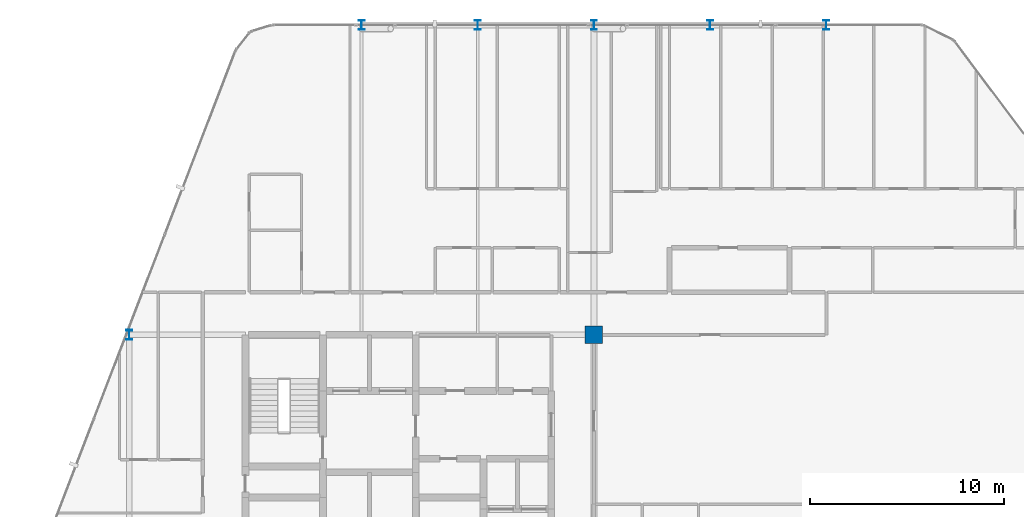
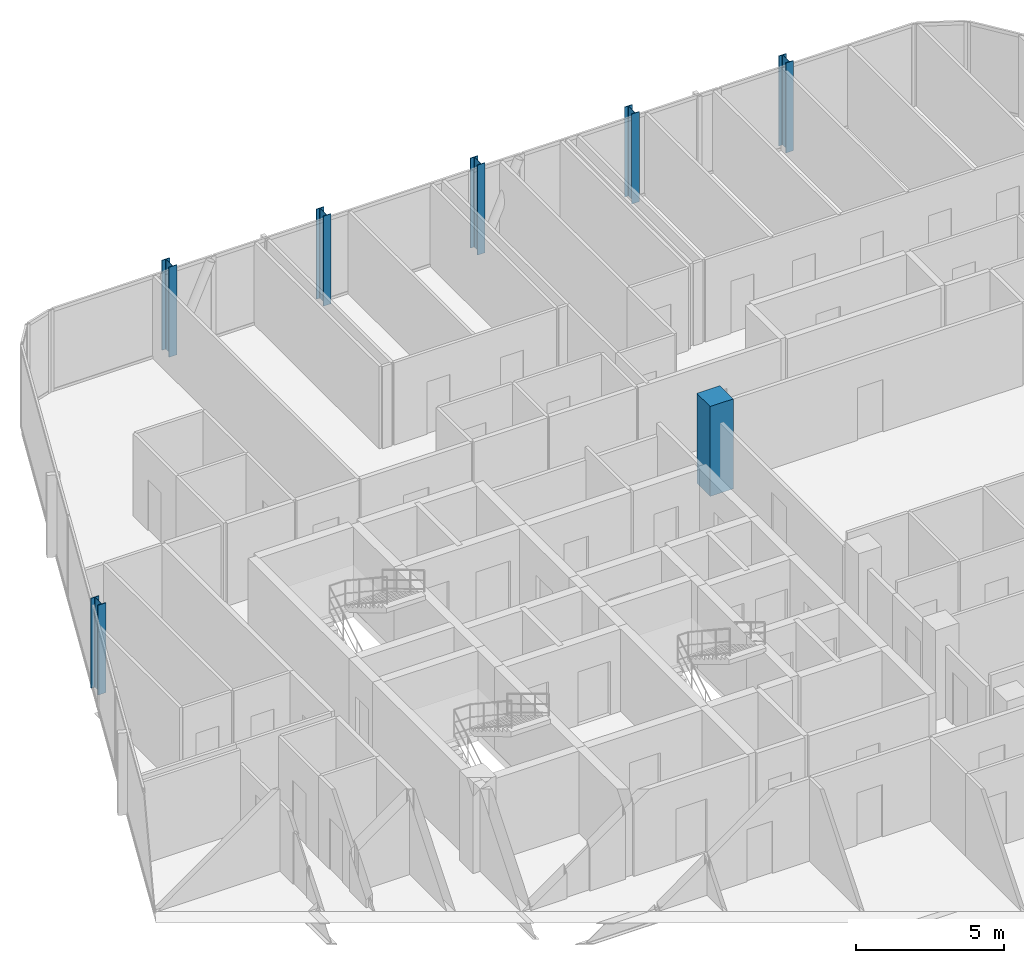
# One storey, part 3 of 31: 7 columns.
"""IFC4 building model written with IfcOpenShell, lengths in metres."""

from ifc_helpers import new_model, si_unit, direction, frame, origin, origin_2d, place, context, subcontext, project, spatial, rectangle, i_section, extrude, material, material_profile, profile_set, type_object, element, save


model = new_model("IFC4")

# Units and contexts
model_context = context("Model", 3, precision=1e-05, world=origin(), true_north=direction((0.0, 1.0)))
body_context = subcontext(model_context, "Body", "Model", "MODEL_VIEW")
ifc_project = project(units=[si_unit("LENGTHUNIT", "METRE"), si_unit("AREAUNIT", "SQUARE_METRE"), si_unit("VOLUMEUNIT", "CUBIC_METRE"), si_unit("PLANEANGLEUNIT", "RADIAN"), si_unit("MASSUNIT", "GRAM", prefix="KILO")], contexts=[model_context])

# Site, building, storey
site_placement = place(None, origin())
site = spatial("IfcSite", under=ifc_project, at=site_placement, CompositionType="ELEMENT")
building_placement = place(site_placement, origin())
building = spatial("IfcBuilding", under=site, at=building_placement, Name="Keshet Zoharim Tower", CompositionType="ELEMENT")
storey_placement = place(building_placement, frame((0.0, 0.0, 140.89990234375)))
storey = spatial("IfcBuildingStorey", under=building, at=storey_placement, Name="L34", CompositionType="ELEMENT", Elevation=140.89990234375)

# Columns
ifc_material_1 = material(Name="Steel S355", Category="steel")
ifc_material_profile_1 = material_profile(ifc_material_1, i_section(OverallWidth=0.300048828125, OverallDepth=0.5, WebThickness=0.014404296875, FlangeThickness=0.028076171875, FilletRadius=0.027099609375, at=origin_2d()), Name="HEB500")
ifc_profile_set_1 = profile_set([ifc_material_profile_1], Name="Steel S355")
column_type_1 = type_object("IfcColumnType", Name="COL-HEB500", PredefinedType="COLUMN", material=ifc_profile_set_1)
for number, where, z_axis, x_axis, name in (
    (1, (9.0, 37.89990234375, 0.0), (0.0, 0.0, 1.0), (1.0, 0.0, 0.0), "L34 Column 2H"),
    (2, (21.0, 53.89990234375, 0.0), (0.0, 0.0, 1.0), (1.0, 0.0, 0.0), "L34 Column 4L"),
    (3, (27.0, 53.89990234375, 0.0), (0.0, 0.0, 1.0), (1.0, 0.0, 0.0), "L34 Column 5L"),
    (4, (33.0, 53.89990234375, 0.0), (0.0, 0.0, 1.0), (1.0, 0.0, 0.0), "L34 Column 6L"),
    (5, (39.0, 53.89990234375, 0.0), (0.0, 0.0, 1.0), (1.0, 0.0, 0.0), "L34 Column 7L"),
    (6, (45.0, 53.89990234375, 0.0), (0.0, 0.0, 1.0), (1.0, 0.0, 0.0), "L34 Column 8L"),
):
    element("IfcColumn", number, at=place(storey_placement, frame(where, z_axis=z_axis, x_axis=x_axis)), inside=storey, type_object=column_type_1, Name=name, PredefinedType="COLUMN", context=body_context, shape_type="SweptSolid", body=[
        extrude(i_section(OverallWidth=0.300048828125, OverallDepth=0.5, WebThickness=0.014404296875, FlangeThickness=0.028076171875, FilletRadius=0.027099609375, at=origin_2d()), origin(), (0.0, 0.0, 1.0), 3.7001953125),
    ])
ifc_material_2 = material(Name="Concrete C60/75", Category="concrete")
ifc_material_profile_2 = material_profile(ifc_material_2, rectangle(XDim=0.89990234375, YDim=0.89990234375, at=origin_2d()), Name="RC900x900")
ifc_profile_set_2 = profile_set([ifc_material_profile_2], Name="Concrete C60/75")
column_type_2 = type_object("IfcColumnType", Name="COL-RC900", PredefinedType="COLUMN", material=ifc_profile_set_2)
column_placement = place(storey_placement, frame((33.0, 37.89990234375, 0.0), z_axis=(0.0, 0.0, 1.0), x_axis=(1.0, 0.0, 0.0)))
element("IfcColumn", 7, at=column_placement, inside=storey, type_object=column_type_2, Name="L34 Column 6H", PredefinedType="COLUMN", context=body_context, shape_type="SweptSolid", body=[
    extrude(rectangle(XDim=0.89990234375, YDim=0.89990234375, at=origin_2d()), origin(), (0.0, 0.0, 1.0), 3.7001953125),
])

save(model, "model.ifc")
